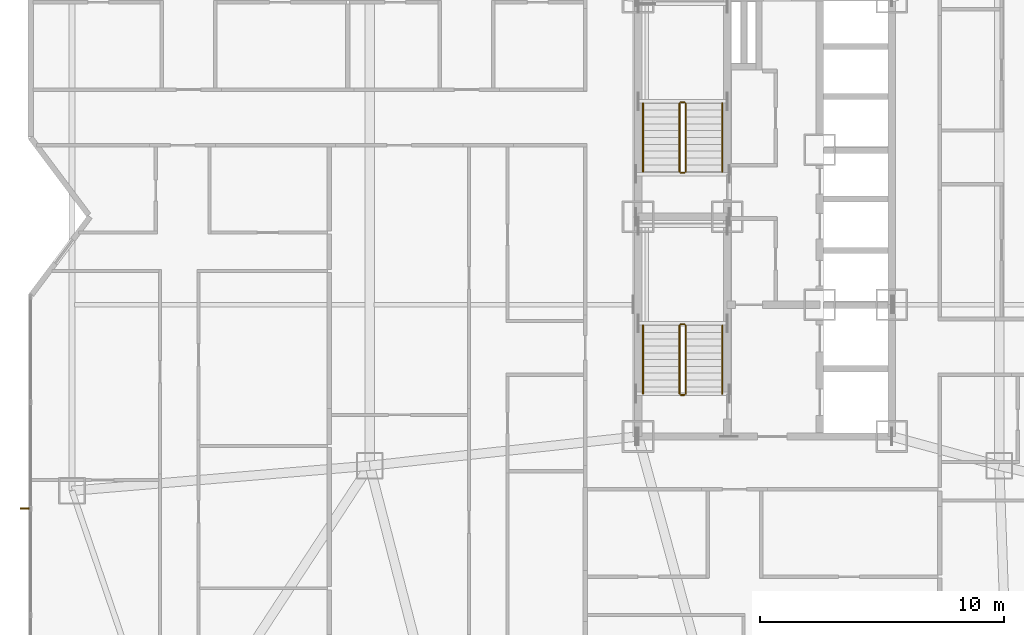
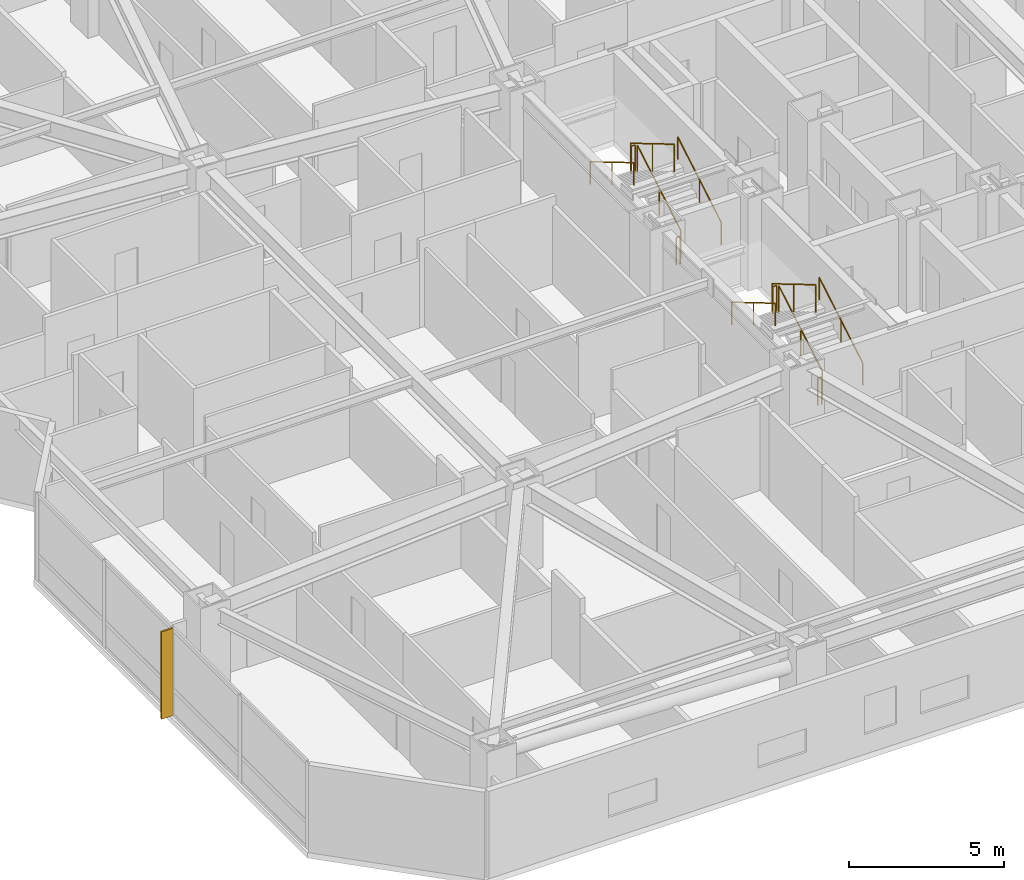
# One storey, part 18 of 18: 12 railings, 1 shading device.
"""IFC4 building model written with IfcOpenShell, lengths in metres."""

from ifc_helpers import new_model, si_unit, direction, frame, origin, origin_2d, place, context, subcontext, project, spatial, rectangle, circle, extrude, material, type_object, element, save


model = new_model("IFC4")

# Units and contexts
model_context = context("Model", 3, precision=1e-05, world=origin(), true_north=direction((0.0, 1.0)))
body_context = subcontext(model_context, "Body", "Model", "MODEL_VIEW")
ifc_project = project(units=[si_unit("LENGTHUNIT", "METRE"), si_unit("AREAUNIT", "SQUARE_METRE"), si_unit("VOLUMEUNIT", "CUBIC_METRE"), si_unit("PLANEANGLEUNIT", "RADIAN"), si_unit("MASSUNIT", "GRAM", prefix="KILO")], contexts=[model_context])

# Site, building, storey
site_placement = place(None, origin())
site = spatial("IfcSite", under=ifc_project, at=site_placement, CompositionType="ELEMENT")
building_placement = place(site_placement, origin())
building = spatial("IfcBuilding", under=site, at=building_placement, Name="Khamvora Tower", CompositionType="ELEMENT")
storey_placement = place(building_placement, frame((0.0, 0.0, 47.89990234375)))
storey = spatial("IfcBuildingStorey", under=building, at=storey_placement, Name="L11", CompositionType="ELEMENT", Elevation=47.89990234375)

# Railings
ifc_material_1 = material(Name="Brushed Stainless Steel 316", Category="steel")
railing_type_1 = type_object("IfcRailingType", Name="RAL-HDR-920", PredefinedType="HANDRAIL", material=ifc_material_1)
railing_1_placement = place(storey_placement, frame((32.449951171875, 20.75, 0.166015625)))
element("IfcRailing", 1, at=railing_1_placement, inside=storey, type_object=railing_type_1, Name="L11 ST-01 stair handrail 1", PredefinedType="HANDRAIL", context=body_context, shape_type="SweptSolid", body=[
    extrude(circle(Radius=0.02392578125, at=origin_2d()), frame((0.0, 0.0, 0.8759765625), z_axis=(0.0, 0.860306154799, 0.50977771628), x_axis=(-1.0, 0.0, 0.0)), (0.0, 0.0, 1.0), 3.254638671875),
    extrude(circle(Radius=0.02099609375, at=origin_2d()), origin(), (0.0, 0.0, 1.0), 0.851806640625),
    extrude(circle(Radius=0.02099609375, at=origin_2d()), frame((0.0, 1.39990234375, 0.82958984375)), (0.0, 0.0, 1.0), 0.851806640625),
    extrude(circle(Radius=0.02099609375, at=origin_2d()), frame((0.0, 2.800048828125, 1.6591796875)), (0.0, 0.0, 1.0), 0.851806640625),
])
railing_2_placement = place(storey_placement, frame((29.199951171875, 23.550048828125, 1.990966796875)))
element("IfcRailing", 2, at=railing_2_placement, inside=storey, type_object=railing_type_1, Name="L11 ST-01 stair handrail 2", PredefinedType="HANDRAIL", context=body_context, shape_type="SweptSolid", body=[
    extrude(circle(Radius=0.02392578125, at=origin_2d()), frame((0.0, 0.0, 0.8759765625), z_axis=(0.0, -0.860306154799, 0.50977771628), x_axis=(1.0, 0.0, 0.0)), (0.0, 0.0, 1.0), 3.254638671875),
    extrude(circle(Radius=0.02099609375, at=origin_2d()), origin(), (0.0, 0.0, 1.0), 0.851806640625),
    extrude(circle(Radius=0.02099609375, at=origin_2d()), frame((0.0, -1.39990234375, 0.82958984375)), (0.0, 0.0, 1.0), 0.851806640625),
    extrude(circle(Radius=0.02099609375, at=origin_2d()), frame((0.0, -2.800048828125, 1.6591796875)), (0.0, 0.0, 1.0), 0.851806640625),
])
railing_3_placement = place(storey_placement, frame((32.449951171875, 29.85009765625, 0.166015625)))
element("IfcRailing", 3, at=railing_3_placement, inside=storey, type_object=railing_type_1, Name="L11 ST-02 stair handrail 1", PredefinedType="HANDRAIL", context=body_context, shape_type="SweptSolid", body=[
    extrude(circle(Radius=0.02392578125, at=origin_2d()), frame((0.0, 0.0, 0.8759765625), z_axis=(0.0, 0.860286659441, 0.509810615413), x_axis=(-1.0, 0.0, 0.0)), (0.0, 0.0, 1.0), 3.25439453125),
    extrude(circle(Radius=0.02099609375, at=origin_2d()), origin(), (0.0, 0.0, 1.0), 0.851806640625),
    extrude(circle(Radius=0.02099609375, at=origin_2d()), frame((0.0, 1.39990234375, 0.82958984375)), (0.0, 0.0, 1.0), 0.851806640625),
    extrude(circle(Radius=0.02099609375, at=origin_2d()), frame((0.0, 2.7998046875, 1.6591796875)), (0.0, 0.0, 1.0), 0.851806640625),
])
railing_4_placement = place(storey_placement, frame((29.199951171875, 32.64990234375, 1.990966796875)))
element("IfcRailing", 4, at=railing_4_placement, inside=storey, type_object=railing_type_1, Name="L11 ST-02 stair handrail 2", PredefinedType="HANDRAIL", context=body_context, shape_type="SweptSolid", body=[
    extrude(circle(Radius=0.02392578125, at=origin_2d()), frame((0.0, 0.0, 0.8759765625), z_axis=(0.0, -0.860286659441, 0.509810615413), x_axis=(1.0, 0.0, 0.0)), (0.0, 0.0, 1.0), 3.25439453125),
    extrude(circle(Radius=0.02099609375, at=origin_2d()), origin(), (0.0, 0.0, 1.0), 0.851806640625),
    extrude(circle(Radius=0.02099609375, at=origin_2d()), frame((0.0, -1.39990234375, 0.82958984375)), (0.0, 0.0, 1.0), 0.851806640625),
    extrude(circle(Radius=0.02099609375, at=origin_2d()), frame((0.0, -2.7998046875, 1.6591796875)), (0.0, 0.0, 1.0), 0.851806640625),
])
ifc_material_2 = material(Name="Stainless Steel 316", Category="steel")
railing_type_2 = type_object("IfcRailingType", Name="RAL-STG-1100", PredefinedType="GUARDRAIL", material=ifc_material_2)
railing_5_placement = place(storey_placement, frame((30.949951171875, 20.75, 0.166015625)))
element("IfcRailing", 5, at=railing_5_placement, inside=storey, type_object=railing_type_2, Name="L11 ST-01 stair guard 1", PredefinedType="GUARDRAIL", context=body_context, shape_type="SweptSolid", body=[
    extrude(circle(Radius=0.02392578125, at=origin_2d()), frame((0.0, 0.0, 1.076171875), z_axis=(0.0, 0.860306154799, 0.50977771628), x_axis=(-1.0, 0.0, 0.0)), (0.0, 0.0, 1.0), 3.254638671875),
    extrude(circle(Radius=0.02099609375, at=origin_2d()), origin(), (0.0, 0.0, 1.0), 1.052001953125),
    extrude(circle(Radius=0.02099609375, at=origin_2d()), frame((0.0, 1.39990234375, 0.82958984375)), (0.0, 0.0, 1.0), 1.052001953125),
    extrude(circle(Radius=0.02099609375, at=origin_2d()), frame((0.0, 2.800048828125, 1.6591796875)), (0.0, 0.0, 1.0), 1.052001953125),
])
railing_6_placement = place(storey_placement, frame((30.89990234375, 23.60009765625, 1.8251953125)))
element("IfcRailing", 6, at=railing_6_placement, inside=storey, type_object=railing_type_2, Name="L11 ST-01 stair guard 2", PredefinedType="GUARDRAIL", context=body_context, shape_type="SweptSolid", body=[
    extrude(circle(Radius=0.02392578125, at=origin_2d()), frame((0.0, 0.0, 1.076171875), z_axis=(-1.0, 0.0, 0.0), x_axis=(0.0, -1.0, 0.0)), (0.0, 0.0, 1.0), 0.14990234375),
    extrude(circle(Radius=0.02099609375, at=origin_2d()), origin(), (0.0, 0.0, 1.0), 1.052001953125),
    extrude(circle(Radius=0.02099609375, at=origin_2d()), frame((-0.14990234375, 0.0, 0.0)), (0.0, 0.0, 1.0), 1.052001953125),
])
railing_7_placement = place(storey_placement, frame((30.699951171875, 23.550048828125, 1.990966796875)))
element("IfcRailing", 7, at=railing_7_placement, inside=storey, type_object=railing_type_2, Name="L11 ST-01 stair guard 3", PredefinedType="GUARDRAIL", context=body_context, shape_type="SweptSolid", body=[
    extrude(circle(Radius=0.02392578125, at=origin_2d()), frame((0.0, 0.0, 1.076171875), z_axis=(0.0, -0.860306154799, 0.50977771628), x_axis=(1.0, 0.0, 0.0)), (0.0, 0.0, 1.0), 3.254638671875),
    extrude(circle(Radius=0.02099609375, at=origin_2d()), origin(), (0.0, 0.0, 1.0), 1.052001953125),
    extrude(circle(Radius=0.02099609375, at=origin_2d()), frame((0.0, -1.39990234375, 0.82958984375)), (0.0, 0.0, 1.0), 1.052001953125),
    extrude(circle(Radius=0.02099609375, at=origin_2d()), frame((0.0, -2.800048828125, 1.6591796875)), (0.0, 0.0, 1.0), 1.052001953125),
])
railing_8_placement = place(storey_placement, frame((30.89990234375, 20.699951171875, 0.0)))
element("IfcRailing", 8, at=railing_8_placement, inside=storey, type_object=railing_type_2, Name="L11 ST-01 stair guard 4", PredefinedType="GUARDRAIL", context=body_context, shape_type="SweptSolid", body=[
    extrude(circle(Radius=0.02392578125, at=origin_2d()), frame((0.0, 0.0, 1.076171875), z_axis=(-1.0, 0.0, 0.0), x_axis=(0.0, -1.0, 0.0)), (0.0, 0.0, 1.0), 0.14990234375),
    extrude(circle(Radius=0.02099609375, at=origin_2d()), origin(), (0.0, 0.0, 1.0), 1.052001953125),
    extrude(circle(Radius=0.02099609375, at=origin_2d()), frame((-0.14990234375, 0.0, 0.0)), (0.0, 0.0, 1.0), 1.052001953125),
])
railing_9_placement = place(storey_placement, frame((30.949951171875, 29.85009765625, 0.166015625)))
element("IfcRailing", 9, at=railing_9_placement, inside=storey, type_object=railing_type_2, Name="L11 ST-02 stair guard 1", PredefinedType="GUARDRAIL", context=body_context, shape_type="SweptSolid", body=[
    extrude(circle(Radius=0.02392578125, at=origin_2d()), frame((0.0, 0.0, 1.076171875), z_axis=(0.0, 0.860286659441, 0.509810615413), x_axis=(-1.0, 0.0, 0.0)), (0.0, 0.0, 1.0), 3.25439453125),
    extrude(circle(Radius=0.02099609375, at=origin_2d()), origin(), (0.0, 0.0, 1.0), 1.052001953125),
    extrude(circle(Radius=0.02099609375, at=origin_2d()), frame((0.0, 1.39990234375, 0.82958984375)), (0.0, 0.0, 1.0), 1.052001953125),
    extrude(circle(Radius=0.02099609375, at=origin_2d()), frame((0.0, 2.7998046875, 1.6591796875)), (0.0, 0.0, 1.0), 1.052001953125),
])
railing_10_placement = place(storey_placement, frame((30.89990234375, 32.699951171875, 1.8251953125)))
element("IfcRailing", 10, at=railing_10_placement, inside=storey, type_object=railing_type_2, Name="L11 ST-02 stair guard 2", PredefinedType="GUARDRAIL", context=body_context, shape_type="SweptSolid", body=[
    extrude(circle(Radius=0.02392578125, at=origin_2d()), frame((0.0, 0.0, 1.076171875), z_axis=(-1.0, 0.0, 0.0), x_axis=(0.0, -1.0, 0.0)), (0.0, 0.0, 1.0), 0.14990234375),
    extrude(circle(Radius=0.02099609375, at=origin_2d()), origin(), (0.0, 0.0, 1.0), 1.052001953125),
    extrude(circle(Radius=0.02099609375, at=origin_2d()), frame((-0.14990234375, 0.0, 0.0)), (0.0, 0.0, 1.0), 1.052001953125),
])
railing_11_placement = place(storey_placement, frame((30.699951171875, 32.64990234375, 1.990966796875)))
element("IfcRailing", 11, at=railing_11_placement, inside=storey, type_object=railing_type_2, Name="L11 ST-02 stair guard 3", PredefinedType="GUARDRAIL", context=body_context, shape_type="SweptSolid", body=[
    extrude(circle(Radius=0.02392578125, at=origin_2d()), frame((0.0, 0.0, 1.076171875), z_axis=(0.0, -0.860286659441, 0.509810615413), x_axis=(1.0, 0.0, 0.0)), (0.0, 0.0, 1.0), 3.25439453125),
    extrude(circle(Radius=0.02099609375, at=origin_2d()), origin(), (0.0, 0.0, 1.0), 1.052001953125),
    extrude(circle(Radius=0.02099609375, at=origin_2d()), frame((0.0, -1.39990234375, 0.82958984375)), (0.0, 0.0, 1.0), 1.052001953125),
    extrude(circle(Radius=0.02099609375, at=origin_2d()), frame((0.0, -2.7998046875, 1.6591796875)), (0.0, 0.0, 1.0), 1.052001953125),
])
railing_12_placement = place(storey_placement, frame((30.89990234375, 29.800048828125, 0.0)))
element("IfcRailing", 12, at=railing_12_placement, inside=storey, type_object=railing_type_2, Name="L11 ST-02 stair guard 4", PredefinedType="GUARDRAIL", context=body_context, shape_type="SweptSolid", body=[
    extrude(circle(Radius=0.02392578125, at=origin_2d()), frame((0.0, 0.0, 1.076171875), z_axis=(-1.0, 0.0, 0.0), x_axis=(0.0, -1.0, 0.0)), (0.0, 0.0, 1.0), 0.14990234375),
    extrude(circle(Radius=0.02099609375, at=origin_2d()), origin(), (0.0, 0.0, 1.0), 1.052001953125),
    extrude(circle(Radius=0.02099609375, at=origin_2d()), frame((-0.14990234375, 0.0, 0.0)), (0.0, 0.0, 1.0), 1.052001953125),
])

# Shading device
ifc_material_3 = material(Name="Anodised Bronze Aluminium 6063-T6", Category="aluminium")
shading_device_type = type_object("IfcShadingDeviceType", Name="SHD-FIN-420", PredefinedType="USERDEFINED", material=ifc_material_3)
shading_device_placement = place(storey_placement, frame((3.8798828125, 16.0400390625, 0.0), z_axis=(0.0, 0.0, 1.0), x_axis=(0.0, 1.0, 0.0)))
element("IfcShadingDevice", 13, at=shading_device_placement, inside=storey, type_object=shading_device_type, Name="L11 anodised bronze solar fin 02.01", ObjectType="FIN", PredefinedType="USERDEFINED", context=body_context, shape_type="SweptSolid", body=[
    extrude(rectangle(XDim=0.06005859375, YDim=0.419921875, at=origin_2d()), origin(), (0.0, 0.0, 1.0), 3.429931640625),
])

save(model, "model.ifc")
